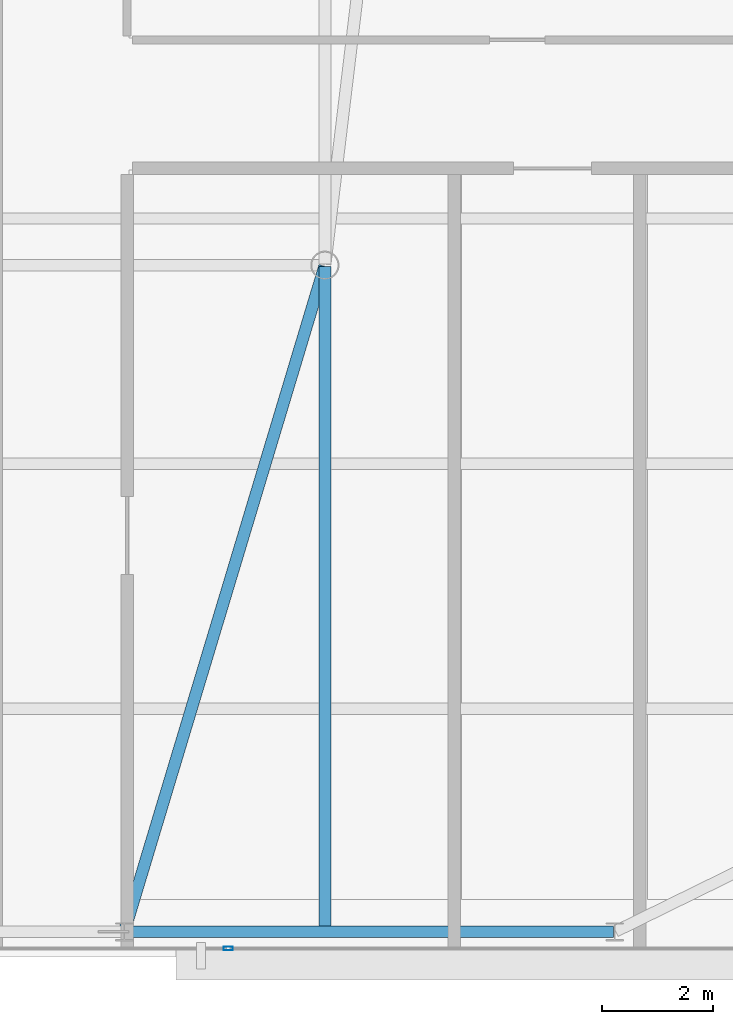
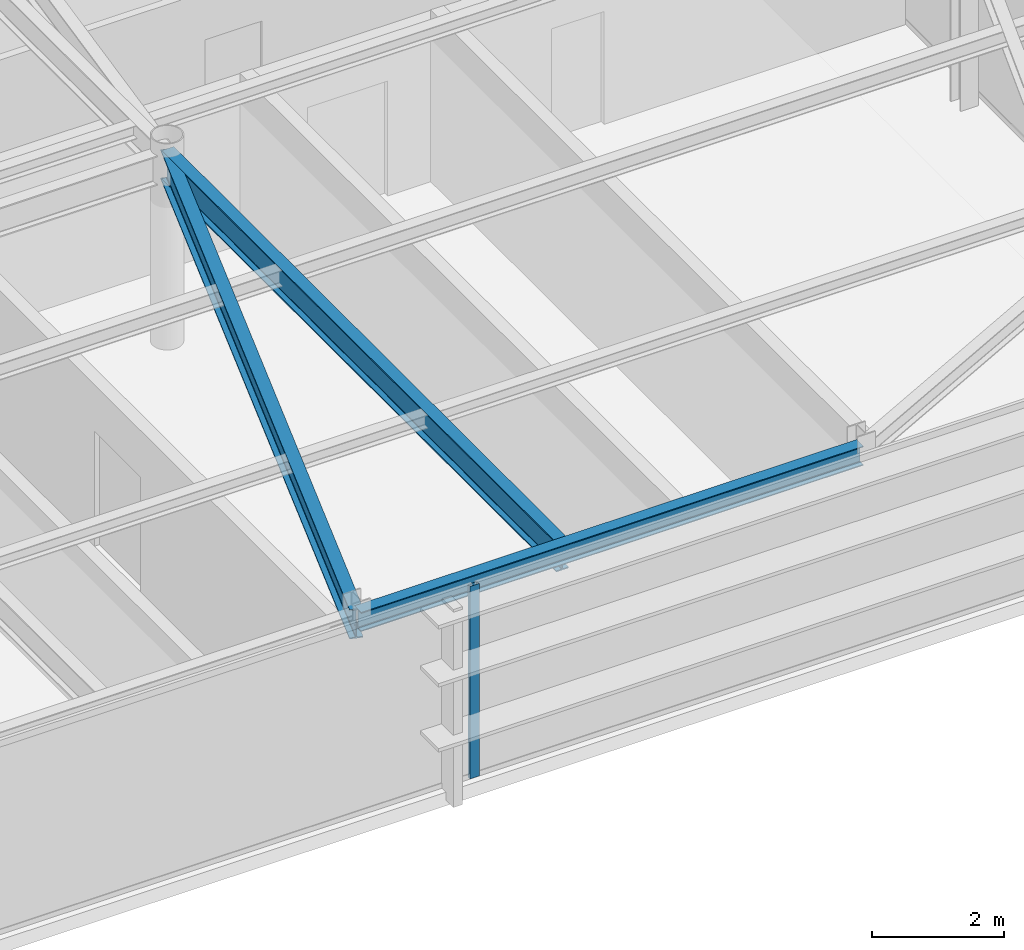
# One storey, part 8 of 24: 3 beams, 1 member, 1 element without a shape of its own.
"""IFC4 building model written with IfcOpenShell, lengths in metres."""

import ifcopenshell
import ifcopenshell.guid

model = None  # the IFC model being written
_history = None  # IfcOwnerHistory: only IFC2X3 demands one
_inside = {}  # id of a spatial element -> (the spatial element, [elements in it])
_under = {}  # id of a project, library or spatial element -> (it, [spatial elements below it])
_declared = {}  # id of a project -> (the project, [libraries it declares])
_typed = {}  # id of a type object -> (the type object, [elements of that type])
_made_of = {}  # id of a material, layer set ... -> (it, [elements and type objects made of it])


def new_model(schema):
    """Start an empty IFC model of exactly this schema.

    Asked for "IFC4X3", IfcOpenShell would pick the latest addendum, in which some entities
    have other attributes; the version numbers below select the first issue.
    IFC2X3 requires an IfcOwnerHistory on every rooted entity: one is made here for all.
    """
    global model, _history
    if schema == "IFC4X3":
        model = ifcopenshell.file(schema_version=(4, 3, 0, 0))
    else:
        model = ifcopenshell.file(schema=schema)
    _inside.clear()
    _under.clear()
    _declared.clear()
    _typed.clear()
    _made_of.clear()
    _history = None
    if model.schema == "IFC2X3":
        org = make("IfcOrganization", Name="unknown")
        user = make(
            "IfcPersonAndOrganization",
            ThePerson=make("IfcPerson", FamilyName="unknown"),
            TheOrganization=org,
        )
        app = make(
            "IfcApplication",
            ApplicationDeveloper=org,
            Version="unknown",
            ApplicationFullName="unknown",
            ApplicationIdentifier="unknown",
        )
        _history = make(
            "IfcOwnerHistory",
            OwningUser=user,
            OwningApplication=app,
            ChangeAction="ADDED",
            CreationDate=0,
        )
    return model


def make(cls, **values):
    """One entity of the class cls with the attributes given. An attribute that is None is left unset."""
    return model.create_entity(
        cls, **{name: value for name, value in values.items() if value is not None}
    )


def rooted(cls, **values):
    """An entity with a GlobalId (a new one), such as an element, a storey or a relation."""
    return make(cls, GlobalId=ifcopenshell.guid.new(), OwnerHistory=_history, **values)


def si_unit(unit_type, name, prefix=None):
    """IfcSIUnit, for example si_unit("LENGTHUNIT", "METRE", prefix="MILLI")."""
    return make("IfcSIUnit", UnitType=unit_type, Prefix=prefix, Name=name)


def assignment(units):
    """IfcUnitAssignment: the units of a project."""
    return None if units is None else make("IfcUnitAssignment", Units=units)


def point(xyz):
    """IfcCartesianPoint."""
    return None if xyz is None else make("IfcCartesianPoint", Coordinates=xyz)


def direction(xyz):
    """IfcDirection."""
    return None if xyz is None else make("IfcDirection", DirectionRatios=xyz)


def frame(location, z_axis=None, x_axis=None):
    """IfcAxis2Placement3D, a coordinate frame: its origin and axes. An axis left out is left unset."""
    return make(
        "IfcAxis2Placement3D",
        Location=point(location),
        Axis=direction(z_axis),
        RefDirection=direction(x_axis),
    )


def frame_2d(location, x_axis=None):
    """IfcAxis2Placement2D, a coordinate frame in the plane: its origin and x axis."""
    return make(
        "IfcAxis2Placement2D", Location=point(location), RefDirection=direction(x_axis)
    )


def origin():
    """The frame at (0, 0, 0) with its axes left unset."""
    return frame((0.0, 0.0, 0.0))


def origin_2d():
    """The frame at (0, 0) in the plane with its x axis left unset."""
    return frame_2d((0.0, 0.0))


def place(relative_to, where):
    """IfcLocalPlacement: puts the frame where relative to a parent placement (None: the world)."""
    return make(
        "IfcLocalPlacement", PlacementRelTo=relative_to, RelativePlacement=where
    )


def context(
    kind, dimensions, precision=None, world=None, true_north=None, identifier=None
):
    """IfcGeometricRepresentationContext, for example the 3D "Model" context."""
    return make(
        "IfcGeometricRepresentationContext",
        ContextIdentifier=identifier,
        ContextType=kind,
        CoordinateSpaceDimension=dimensions,
        Precision=precision,
        WorldCoordinateSystem=world,
        TrueNorth=true_north,
    )


def subcontext(parent, identifier, kind, view, scale=None):
    """IfcGeometricRepresentationSubContext, for example "Body" below "Model"."""
    return make(
        "IfcGeometricRepresentationSubContext",
        ContextIdentifier=identifier,
        ContextType=kind,
        ParentContext=parent,
        TargetScale=scale,
        TargetView=view,
    )


def project(units=None, contexts=None):
    """IfcProject with its units and contexts."""
    return rooted(
        "IfcProject",
        Name="project",
        RepresentationContexts=contexts,
        UnitsInContext=assignment(units),
    )


def spatial(cls, under=None, at=None, **own):
    """A site, building, storey or space (cls), placed at a placement, below another one or the project."""
    s = rooted(cls, ObjectPlacement=at, **own)
    if under is not None:
        _under.setdefault(under.id(), (under, []))[1].append(s)
    return s


def profile(cls, at=None, kind="AREA", **sizes):
    """A parametric profile (cls). Its sizes go by their IFC names, for example OverallWidth=200.0."""
    return make(cls, ProfileType=kind, Position=at, **sizes)


def hollow_rectangle(**sizes):
    """IfcRectangleHollowProfileDef."""
    return profile("IfcRectangleHollowProfileDef", **sizes)


def i_section(**sizes):
    """IfcIShapeProfileDef."""
    return profile("IfcIShapeProfileDef", **sizes)


def extrude(swept, where, along, depth):
    """IfcExtrudedAreaSolid: the profile swept, set in the frame where, extruded along a direction by depth."""
    return make(
        "IfcExtrudedAreaSolid",
        SweptArea=swept,
        Position=where,
        ExtrudedDirection=direction(along),
        Depth=depth,
    )


def shape(context_of_items, identifier, shape_type, items):
    """IfcShapeRepresentation: the items that make up one representation, for example the "Body"."""
    return make(
        "IfcShapeRepresentation",
        ContextOfItems=context_of_items,
        RepresentationIdentifier=identifier,
        RepresentationType=shape_type,
        Items=items,
    )


def source(mapping_origin, context_of_items, identifier, shape_type, items):
    """IfcRepresentationMap: a shape defined once, which mapped items show again and again."""
    return make(
        "IfcRepresentationMap",
        MappingOrigin=mapping_origin,
        MappedRepresentation=shape(context_of_items, identifier, shape_type, items),
    )


def transform(
    local_origin,
    x_axis=None,
    y_axis=None,
    z_axis=None,
    scale=None,
    scale2=None,
    scale3=None,
    uniform=True,
):
    """IfcCartesianTransformationOperator3D, or its non-uniform kind. x_axis, y_axis, z_axis: its Axis1, 2, 3."""
    if uniform:
        return make(
            "IfcCartesianTransformationOperator3D",
            Axis1=direction(x_axis),
            Axis2=direction(y_axis),
            LocalOrigin=point(local_origin),
            Scale=scale,
            Axis3=direction(z_axis),
        )
    return make(
        "IfcCartesianTransformationOperator3DnonUniform",
        Axis1=direction(x_axis),
        Axis2=direction(y_axis),
        LocalOrigin=point(local_origin),
        Scale=scale,
        Axis3=direction(z_axis),
        Scale2=scale2,
        Scale3=scale3,
    )


def mapped(mapping_source, mapping_target):
    """IfcMappedItem: shows the shape of a source again, moved by a transform."""
    return make(
        "IfcMappedItem", MappingSource=mapping_source, MappingTarget=mapping_target
    )


def material(Name=None, Category=None):
    """IfcMaterial."""
    return make("IfcMaterial", Name=Name, Category=Category)


def layer(
    of_material, thickness, ventilated=None, Name=None, Category=None, Priority=None
):
    """IfcMaterialLayer: one layer of a wall or slab, of a material (None: an air gap)."""
    return make(
        "IfcMaterialLayer",
        Material=of_material,
        LayerThickness=thickness,
        IsVentilated=ventilated,
        Name=Name,
        Category=Category,
        Priority=Priority,
    )


def layer_set(layers, Name=None):
    """IfcMaterialLayerSet."""
    return make("IfcMaterialLayerSet", MaterialLayers=layers, LayerSetName=Name)


def material_profile(
    of_material, cross_section, Name=None, Category=None, Priority=None
):
    """IfcMaterialProfile: a cross section and its material."""
    return make(
        "IfcMaterialProfile",
        Name=Name,
        Material=of_material,
        Profile=cross_section,
        Priority=Priority,
        Category=Category,
    )


def profile_set(profiles, Name=None, composite=None):
    """IfcMaterialProfileSet."""
    return make(
        "IfcMaterialProfileSet",
        Name=Name,
        MaterialProfiles=profiles,
        CompositeProfile=composite,
    )


def made_of(thing, what):
    """Note that an element or type object is made of a material, layer set ...; save() writes the relation."""
    if what is not None:
        _made_of.setdefault(what.id(), (what, []))[1].append(thing)
    return thing


def type_object(cls, material=None, **own):
    """A type object (cls), such as IfcWallType, which elements share."""
    return made_of(rooted(cls, **own), material)


def type_shapes(of_type, sources):
    """Give a type object the sources (RepresentationMaps) that its elements show as mapped items."""
    of_type.RepresentationMaps = sources


def element(
    cls,
    number,
    at=None,
    inside=None,
    cuts=None,
    type_object=None,
    material=None,
    context=None,
    identifier="Body",
    shape_type=None,
    held_by="IfcProductDefinitionShape",
    body=None,
    shapes=None,
    **own,
):
    """One element of the class cls, such as IfcWall. Its Tag is "e" and its number.

    at: its placement. inside: the storey or other place that contains it. cuts: it is an
    opening in that element (IfcRelVoidsElement). A single representation is given by context,
    identifier, shape_type and body (its items); several are given by shapes. held_by: the class
    of the entity that holds the representations. save() writes the other relations.
    """
    e = rooted(cls, Tag="e%d" % number, ObjectPlacement=at, **own)
    if body is not None:
        shapes = [shape(context, identifier, shape_type, body)]
    if shapes is not None:
        e.Representation = make(held_by, Representations=shapes)
    if inside is not None:
        _inside.setdefault(inside.id(), (inside, []))[1].append(e)
    if cuts is not None:
        rooted(
            "IfcRelVoidsElement", RelatingBuildingElement=cuts, RelatedOpeningElement=e
        )
    if type_object is not None:
        _typed.setdefault(type_object.id(), (type_object, []))[1].append(e)
    return made_of(e, material)


def aggregate(whole, parts):
    """IfcRelAggregates: a whole, such as a stair, and the parts it consists of."""
    return rooted("IfcRelAggregates", RelatingObject=whole, RelatedObjects=parts)


def save(model, path):
    """Write the relations noted so far, then the file.

    IfcRelAggregates (storeys below a building ...), IfcRelContainedInSpatialStructure (elements
    in a storey), IfcRelDefinesByType, IfcRelAssociatesMaterial and IfcRelDeclares: one each for
    every whole, place, type object, material and project.
    """
    for whole, parts in _under.values():
        aggregate(whole, parts)
    for where, things in _inside.values():
        rooted(
            "IfcRelContainedInSpatialStructure",
            RelatedElements=things,
            RelatingStructure=where,
        )
    for kind, things in _typed.values():
        rooted("IfcRelDefinesByType", RelatedObjects=things, RelatingType=kind)
    for what, things in _made_of.values():
        rooted("IfcRelAssociatesMaterial", RelatedObjects=things, RelatingMaterial=what)
    for by, libraries in _declared.values():
        rooted("IfcRelDeclares", RelatingContext=by, RelatedDefinitions=libraries)
    model.write(path)


model = new_model("IFC4")

# Units and contexts
model_context = context("Model", 3, precision=1e-05, world=origin(), true_north=direction((0.0, 1.0)))
body_context = subcontext(model_context, "Body", "Model", "MODEL_VIEW")
ifc_project = project(units=[si_unit("LENGTHUNIT", "METRE"), si_unit("AREAUNIT", "SQUARE_METRE"), si_unit("VOLUMEUNIT", "CUBIC_METRE"), si_unit("PLANEANGLEUNIT", "RADIAN"), si_unit("MASSUNIT", "GRAM", prefix="KILO")], contexts=[model_context])

# Site, building, storey
site_placement = place(None, origin())
site = spatial("IfcSite", under=ifc_project, at=site_placement, CompositionType="ELEMENT")
building_placement = place(site_placement, origin())
building = spatial("IfcBuilding", under=site, at=building_placement, Name="Varnel Quay Broadcast Tower", CompositionType="ELEMENT")
storey_placement = place(building_placement, frame((0.0, 0.0, 285.0)))
storey = spatial("IfcBuildingStorey", under=building, at=storey_placement, Name="L71", CompositionType="ELEMENT", Elevation=285.0)

# Beams
ifc_material_1 = material(Name="Structural Steel CSA G40.21 350W", Category="steel")
ifc_material_profile_1 = material_profile(ifc_material_1, i_section(OverallWidth=0.205078125, OverallDepth=0.35400390625, WebThickness=0.009521484375, FlangeThickness=0.016845703125, FilletRadius=0.012939453125, at=origin_2d()), Name="W360X79")
ifc_profile_set_1 = profile_set([ifc_material_profile_1], Name="Structural Steel CSA G40.21 350W")
beam_type_1 = type_object("IfcBeamType", Name="Beam_W360X79", PredefinedType="SPANDREL", material=ifc_profile_set_1)
shared_shape_1 = source(origin(), body_context, "Body", "SweptSolid", [
    extrude(i_section(OverallWidth=0.205078125, OverallDepth=0.35400390625, WebThickness=0.009521484375, FlangeThickness=0.016845703125, FilletRadius=0.012939453125, at=origin_2d()), origin(), (0.0, 0.0, 1.0), 8.760009765625),
])
type_shapes(beam_type_1, [shared_shape_1])
beam_1_placement = place(storey_placement, frame((38.419921875, 13.64990234375, 3.373046875), z_axis=(1.0, 0.0, 0.0), x_axis=(0.0, 1.0, 0.0)))
element("IfcBeam", 1, at=beam_1_placement, inside=storey, type_object=beam_type_1, Name="L71 South Spandrel TC-S3-TC-S4", PredefinedType="SPANDREL", context=body_context, shape_type="MappedRepresentation", body=[
    mapped(shared_shape_1, transform((0.0, 0.0, 0.0), x_axis=(1.0, 0.0, 0.0), y_axis=(0.0, 1.0, 0.0), z_axis=(0.0, 0.0, 1.0), scale=1.0)),
])
ifc_material_profile_2 = material_profile(ifc_material_1, i_section(OverallWidth=0.2119140625, OverallDepth=0.5439453125, WebThickness=0.01318359375, FlangeThickness=0.021240234375, FilletRadius=0.013916015625, at=origin_2d()), Name="W530X123")
ifc_profile_set_2 = profile_set([ifc_material_profile_2], Name="Structural Steel CSA G40.21 350W")
beam_type_2 = type_object("IfcBeamType", Name="Girder_W530X123", PredefinedType="BEAM", material=ifc_profile_set_2)
shared_shape_2 = source(origin(), body_context, "Body", "SweptSolid", [
    extrude(i_section(OverallWidth=0.2119140625, OverallDepth=0.5439453125, WebThickness=0.01318359375, FlangeThickness=0.021240234375, FilletRadius=0.013916015625, at=origin_2d()), origin(), (0.0, 0.0, 1.0), 12.449951171875),
])
beam_2_placement = place(storey_placement, frame((38.40576171875, 13.669189453125, 3.278076171875), z_axis=(0.28822390679, 0.957563042078, 0.0), x_axis=(-0.957563042078, 0.28822390679, 0.0)))
element("IfcBeam", 2, at=beam_2_placement, inside=storey, type_object=beam_type_2, Name="L71 Primary Girder TC-S3-IC-02", PredefinedType="BEAM", context=body_context, shape_type="MappedRepresentation", body=[
    mapped(shared_shape_2, transform((0.0, 0.0, 0.0), x_axis=(1.0, 0.0, 0.0), y_axis=(0.0, 1.0, 0.0), z_axis=(0.0, 0.0, 1.0), scale=1.0)),
])
shared_shape_3 = source(origin(), body_context, "Body", "SweptSolid", [
    extrude(i_section(OverallWidth=0.2119140625, OverallDepth=0.5439453125, WebThickness=0.01318359375, FlangeThickness=0.021240234375, FilletRadius=0.013916015625, at=origin_2d()), origin(), (0.0, 0.0, 1.0), 11.920166015625),
])
type_shapes(beam_type_2, [shared_shape_2, shared_shape_3])
beam_3_placement = place(storey_placement, frame((42.0, 13.669921875, 3.278076171875), z_axis=(0.0, 1.0, 0.0), x_axis=(-1.0, 0.0, 0.0)))
element("IfcBeam", 3, at=beam_3_placement, inside=storey, type_object=beam_type_2, Name="L71 N-S Joist Header IC-02S", PredefinedType="BEAM", context=body_context, shape_type="MappedRepresentation", body=[
    mapped(shared_shape_3, transform((0.0, 0.0, 0.0), x_axis=(1.0, 0.0, 0.0), y_axis=(0.0, 1.0, 0.0), z_axis=(0.0, 0.0, 1.0), scale=1.0)),
])

# Curtain wall, member
ifc_material_2 = material(Name="Anodised Bronze Aluminium 6063-T6", Category="aluminium")
ifc_layer = layer(ifc_material_2, 0.18994140625, Name="Anodised Bronze Aluminium 6063-T6")
ifc_layer_set = layer_set([ifc_layer], Name="Anodised Bronze Aluminium 6063-T6")
curtain_wall_type = type_object("IfcCurtainWallType", Name="CW_UpperTower", PredefinedType="NOTDEFINED", material=ifc_layer_set)
curtain_wall_placement = place(storey_placement, origin())
curtain_wall = element("IfcCurtainWall", 4, at=curtain_wall_placement, inside=storey, type_object=curtain_wall_type, Name="L71 South Unitised Curtain Wall 1", PredefinedType="NOTDEFINED")
ifc_material_profile_3 = material_profile(ifc_material_2, hollow_rectangle(XDim=0.06494140625, YDim=0.1650390625, WallThickness=0.00341796875, at=origin_2d()), Name="ALU65X165X3.5")
ifc_profile_set_3 = profile_set([ifc_material_profile_3], Name="Anodised Bronze Aluminium 6063-T6")
member_type = type_object("IfcMemberType", Name="Mull_CWS-03", PredefinedType="MULLION", material=ifc_profile_set_3)
shared_shape_4 = source(origin(), body_context, "Body", "SweptSolid", [
    extrude(hollow_rectangle(XDim=0.06494140625, YDim=0.1650390625, WallThickness=0.00341796875, at=origin_2d()), origin(), (0.0, 0.0, 1.0), 3.550048828125),
])
type_shapes(member_type, [shared_shape_4])
member_placement = place(storey_placement, frame((40.2666015625, 13.35009765625, 0.0), z_axis=(0.0, 0.0, 1.0), x_axis=(0.0, 1.0, 0.0)))
member = element("IfcMember", 5, at=member_placement, type_object=member_type, Name="CWS-03 mullion 3", PredefinedType="MULLION", context=body_context, shape_type="MappedRepresentation", body=[
    mapped(shared_shape_4, transform((0.0, 0.0, 0.0), x_axis=(1.0, 0.0, 0.0), y_axis=(0.0, 1.0, 0.0), z_axis=(0.0, 0.0, 1.0), scale=1.0)),
])
aggregate(curtain_wall, [member])

save(model, "model.ifc")
